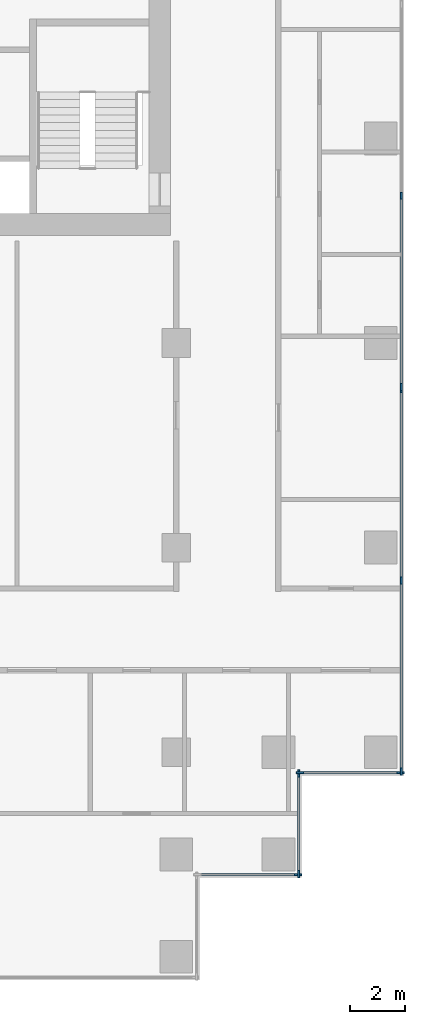
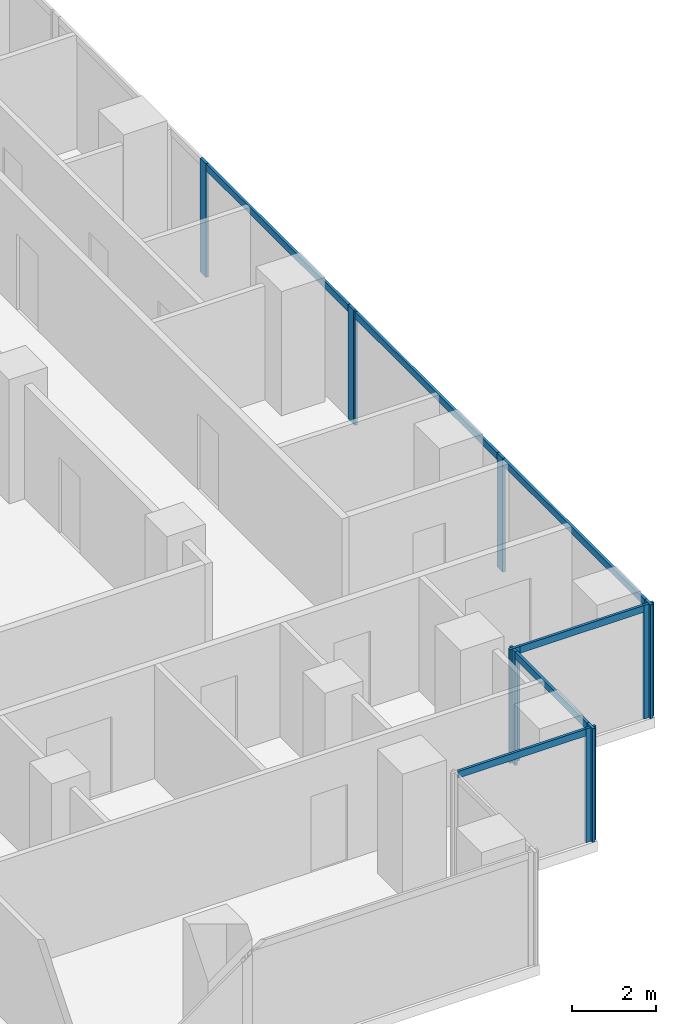
# One storey, part 3 of 11: 16 members, 5 elements without a shape of their own.
"""IFC4 building model written with IfcOpenShell, lengths in metres."""

from ifc_helpers import new_model, si_unit, direction, frame, origin, origin_2d, place, context, subcontext, project, spatial, rectangle, extrude, material, material_profile, profile_set, type_object, element, aggregate, save


model = new_model("IFC4")

# Units and contexts
model_context = context("Model", 3, precision=1e-05, world=origin(), true_north=direction((0.0, 1.0)))
body_context = subcontext(model_context, "Body", "Model", "MODEL_VIEW")
ifc_project = project(units=[si_unit("LENGTHUNIT", "METRE"), si_unit("AREAUNIT", "SQUARE_METRE"), si_unit("VOLUMEUNIT", "CUBIC_METRE"), si_unit("PLANEANGLEUNIT", "RADIAN"), si_unit("MASSUNIT", "GRAM", prefix="KILO")], contexts=[model_context])

# Site, building, storey
site_placement = place(None, origin())
site = spatial("IfcSite", under=ifc_project, at=site_placement, CompositionType="ELEMENT")
building_placement = place(site_placement, origin())
building = spatial("IfcBuilding", under=site, at=building_placement, Name="Pilkhan Gate Tower", CompositionType="ELEMENT")
storey_placement = place(building_placement, frame((0.0, 0.0, 172.89990234375)))
storey = spatial("IfcBuildingStorey", under=building, at=storey_placement, Name="L44", CompositionType="ELEMENT", Elevation=172.89990234375)

# Curtain wall, members
ifc_material_1 = material(Name="Pale anodised aluminium, clear low-iron double glazing", Category="aluminium")
curtain_wall_type = type_object("IfcCurtainWallType", Name="Office unitised curtain wall CW-O1", PredefinedType="USERDEFINED", material=ifc_material_1)
curtain_wall_1_placement = place(storey_placement, origin())
curtain_wall_1 = element("IfcCurtainWall", 1, at=curtain_wall_1_placement, inside=storey, type_object=curtain_wall_type, Name="Office unitised curtain wall CW-O1 L44 E", ObjectType="UNITISED CURTAIN WALL", PredefinedType="USERDEFINED")
ifc_material_2 = material(Name="Pale anodised aluminium", Category="aluminium")
ifc_material_profile_1 = material_profile(ifc_material_2, rectangle(XDim=0.070068359375, YDim=0.27490234375, at=origin_2d()), Name="Mullion 275x70")
ifc_profile_set_1 = profile_set([ifc_material_profile_1], Name="Pale anodised aluminium")
member_type_1 = type_object("IfcMemberType", Name="Mullion CW-O1 275x70", PredefinedType="MULLION", material=ifc_profile_set_1)
member_1_placement = place(storey_placement, frame((98.25, 51.784912109375, 0.0), z_axis=(0.0, 0.0, 1.0), x_axis=(-1.0, 0.0, 0.0)))
member_1 = element("IfcMember", 2, at=member_1_placement, type_object=member_type_1, Name="CW-O1 mullion 1", PredefinedType="MULLION", context=body_context, shape_type="SweptSolid", body=[
    extrude(rectangle(XDim=0.070068359375, YDim=0.27490234375, at=origin_2d()), origin(), (0.0, 0.0, 1.0), 3.300048828125),
])
member_2_placement = place(storey_placement, frame((98.25, 58.800048828125, 0.0), z_axis=(0.0, 0.0, 1.0), x_axis=(-1.0, 0.0, 0.0)))
member_2 = element("IfcMember", 3, at=member_2_placement, type_object=member_type_1, Name="CW-O1 mullion 2", PredefinedType="MULLION", context=body_context, shape_type="SweptSolid", body=[
    extrude(rectangle(XDim=0.070068359375, YDim=0.27490234375, at=origin_2d()), origin(), (0.0, 0.0, 1.0), 3.300048828125),
])
member_3_placement = place(storey_placement, frame((98.25, 65.81494140625, 0.0), z_axis=(0.0, 0.0, 1.0), x_axis=(-1.0, 0.0, 0.0)))
member_3 = element("IfcMember", 4, at=member_3_placement, type_object=member_type_1, Name="CW-O1 mullion 3", PredefinedType="MULLION", context=body_context, shape_type="SweptSolid", body=[
    extrude(rectangle(XDim=0.070068359375, YDim=0.27490234375, at=origin_2d()), origin(), (0.0, 0.0, 1.0), 3.300048828125),
])

curtain_wall_2_placement = place(storey_placement, origin())
curtain_wall_2 = element("IfcCurtainWall", 5, at=curtain_wall_2_placement, inside=storey, type_object=curtain_wall_type, Name="Office unitised curtain wall CW-O1 L44 E", ObjectType="UNITISED CURTAIN WALL", PredefinedType="USERDEFINED")
member_4_placement = place(storey_placement, frame((98.25, 65.885009765625, 0.0), z_axis=(0.0, 0.0, 1.0), x_axis=(-1.0, 0.0, 0.0)))
member_4 = element("IfcMember", 6, at=member_4_placement, type_object=member_type_1, Name="CW-O1 mullion 1", PredefinedType="MULLION", context=body_context, shape_type="SweptSolid", body=[
    extrude(rectangle(XDim=0.070068359375, YDim=0.27490234375, at=origin_2d()), origin(), (0.0, 0.0, 1.0), 3.300048828125),
])
member_5_placement = place(storey_placement, frame((98.25, 72.89990234375, 0.0), z_axis=(0.0, 0.0, 1.0), x_axis=(-1.0, 0.0, 0.0)))
member_5 = element("IfcMember", 7, at=member_5_placement, type_object=member_type_1, Name="CW-O1 mullion 2", PredefinedType="MULLION", context=body_context, shape_type="SweptSolid", body=[
    extrude(rectangle(XDim=0.070068359375, YDim=0.27490234375, at=origin_2d()), origin(), (0.0, 0.0, 1.0), 3.300048828125),
])

# Curtain wall, member
curtain_wall_3_placement = place(storey_placement, origin())
curtain_wall_3 = element("IfcCurtainWall", 8, at=curtain_wall_3_placement, inside=storey, type_object=curtain_wall_type, Name="Office unitised curtain wall CW-O1 L44 S", ObjectType="UNITISED CURTAIN WALL", PredefinedType="USERDEFINED")
member_6_placement = place(storey_placement, frame((94.465087890625, 48.0, 0.0), z_axis=(0.0, 0.0, 1.0), x_axis=(0.0, 1.0, 0.0)))
member_6 = element("IfcMember", 9, at=member_6_placement, type_object=member_type_1, Name="CW-O1 mullion 2", PredefinedType="MULLION", context=body_context, shape_type="SweptSolid", body=[
    extrude(rectangle(XDim=0.070068359375, YDim=0.27490234375, at=origin_2d()), origin(), (0.0, 0.0, 1.0), 3.300048828125),
])

# Curtain wall, members
curtain_wall_4_placement = place(storey_placement, origin())
curtain_wall_4 = element("IfcCurtainWall", 10, at=curtain_wall_4_placement, inside=storey, type_object=curtain_wall_type, Name="Office unitised curtain wall CW-O1 L44 E", ObjectType="UNITISED CURTAIN WALL", PredefinedType="USERDEFINED")
member_7_placement = place(storey_placement, frame((94.5, 48.034912109375, 0.0), z_axis=(0.0, 0.0, 1.0), x_axis=(-1.0, 0.0, 0.0)))
member_7 = element("IfcMember", 11, at=member_7_placement, type_object=member_type_1, Name="CW-O1 mullion 1", PredefinedType="MULLION", context=body_context, shape_type="SweptSolid", body=[
    extrude(rectangle(XDim=0.070068359375, YDim=0.27490234375, at=origin_2d()), origin(), (0.0, 0.0, 1.0), 3.300048828125),
])
member_8_placement = place(storey_placement, frame((94.5, 51.715087890625, 0.0), z_axis=(0.0, 0.0, 1.0), x_axis=(-1.0, 0.0, 0.0)))
member_8 = element("IfcMember", 12, at=member_8_placement, type_object=member_type_1, Name="CW-O1 mullion 2", PredefinedType="MULLION", context=body_context, shape_type="SweptSolid", body=[
    extrude(rectangle(XDim=0.070068359375, YDim=0.27490234375, at=origin_2d()), origin(), (0.0, 0.0, 1.0), 3.300048828125),
])

curtain_wall_5_placement = place(storey_placement, origin())
curtain_wall_5 = element("IfcCurtainWall", 13, at=curtain_wall_5_placement, inside=storey, type_object=curtain_wall_type, Name="Office unitised curtain wall CW-O1 L44 S", ObjectType="UNITISED CURTAIN WALL", PredefinedType="USERDEFINED")
member_9_placement = place(storey_placement, frame((94.534912109375, 51.75, 0.0), z_axis=(0.0, 0.0, 1.0), x_axis=(0.0, 1.0, 0.0)))
member_9 = element("IfcMember", 14, at=member_9_placement, type_object=member_type_1, Name="CW-O1 mullion 1", PredefinedType="MULLION", context=body_context, shape_type="SweptSolid", body=[
    extrude(rectangle(XDim=0.070068359375, YDim=0.27490234375, at=origin_2d()), origin(), (0.0, 0.0, 1.0), 3.300048828125),
])
member_10_placement = place(storey_placement, frame((98.215087890625, 51.75, 0.0), z_axis=(0.0, 0.0, 1.0), x_axis=(0.0, 1.0, 0.0)))
member_10 = element("IfcMember", 15, at=member_10_placement, type_object=member_type_1, Name="CW-O1 mullion 2", PredefinedType="MULLION", context=body_context, shape_type="SweptSolid", body=[
    extrude(rectangle(XDim=0.070068359375, YDim=0.27490234375, at=origin_2d()), origin(), (0.0, 0.0, 1.0), 3.300048828125),
])

# Member
ifc_material_profile_2 = material_profile(ifc_material_2, rectangle(XDim=0.070068359375, YDim=0.199951171875, at=origin_2d()), Name="Transom 200x70")
ifc_profile_set_2 = profile_set([ifc_material_profile_2], Name="Pale anodised aluminium")
member_type_2 = type_object("IfcMemberType", Name="Transom CW-O1 200x70", PredefinedType="USERDEFINED", material=ifc_profile_set_2)
member_11_placement = place(storey_placement, frame((98.25, 51.820068359375, 3.2001953125), z_axis=(0.0, 1.0, 0.0), x_axis=(-1.0, 0.0, 0.0)))
member_11 = element("IfcMember", 16, at=member_11_placement, type_object=member_type_2, Name="CW-O1 transom 1", ObjectType="TRANSOM", PredefinedType="USERDEFINED", context=body_context, shape_type="SweptSolid", body=[
    extrude(rectangle(XDim=0.070068359375, YDim=0.199951171875, at=origin_2d()), origin(), (0.0, 0.0, 1.0), 6.94482421875),
])

member_12_placement = place(storey_placement, frame((98.25, 58.8349609375, 3.2001953125), z_axis=(0.0, 1.0, 0.0), x_axis=(-1.0, 0.0, 0.0)))
member_12 = element("IfcMember", 17, at=member_12_placement, type_object=member_type_2, Name="CW-O1 transom 2", ObjectType="TRANSOM", PredefinedType="USERDEFINED", context=body_context, shape_type="SweptSolid", body=[
    extrude(rectangle(XDim=0.070068359375, YDim=0.199951171875, at=origin_2d()), origin(), (0.0, 0.0, 1.0), 6.945068359375),
])

aggregate(curtain_wall_1, [member_1, member_2, member_3, member_11, member_12])

member_13_placement = place(storey_placement, frame((98.25, 65.919921875, 3.2001953125), z_axis=(0.0, 1.0, 0.0), x_axis=(-1.0, 0.0, 0.0)))
member_13 = element("IfcMember", 18, at=member_13_placement, type_object=member_type_2, Name="CW-O1 transom 1", ObjectType="TRANSOM", PredefinedType="USERDEFINED", context=body_context, shape_type="SweptSolid", body=[
    extrude(rectangle(XDim=0.070068359375, YDim=0.199951171875, at=origin_2d()), origin(), (0.0, 0.0, 1.0), 6.945068359375),
])

aggregate(curtain_wall_2, [member_4, member_5, member_13])

member_14_placement = place(storey_placement, frame((90.820068359375, 48.0, 3.2001953125), z_axis=(1.0, 0.0, 0.0), x_axis=(0.0, 1.0, 0.0)))
member_14 = element("IfcMember", 19, at=member_14_placement, type_object=member_type_2, Name="CW-O1 transom 1", ObjectType="TRANSOM", PredefinedType="USERDEFINED", context=body_context, shape_type="SweptSolid", body=[
    extrude(rectangle(XDim=0.070068359375, YDim=0.199951171875, at=origin_2d()), origin(), (0.0, 0.0, 1.0), 3.60986328125),
])

aggregate(curtain_wall_3, [member_6, member_14])

member_15_placement = place(storey_placement, frame((94.5, 48.070068359375, 3.2001953125), z_axis=(0.0, 1.0, 0.0), x_axis=(-1.0, 0.0, 0.0)))
member_15 = element("IfcMember", 20, at=member_15_placement, type_object=member_type_2, Name="CW-O1 transom 1", ObjectType="TRANSOM", PredefinedType="USERDEFINED", context=body_context, shape_type="SweptSolid", body=[
    extrude(rectangle(XDim=0.070068359375, YDim=0.199951171875, at=origin_2d()), origin(), (0.0, 0.0, 1.0), 3.60986328125),
])

aggregate(curtain_wall_4, [member_7, member_8, member_15])

member_16_placement = place(storey_placement, frame((94.570068359375, 51.75, 3.2001953125), z_axis=(1.0, 0.0, 0.0), x_axis=(0.0, 1.0, 0.0)))
member_16 = element("IfcMember", 21, at=member_16_placement, type_object=member_type_2, Name="CW-O1 transom 1", ObjectType="TRANSOM", PredefinedType="USERDEFINED", context=body_context, shape_type="SweptSolid", body=[
    extrude(rectangle(XDim=0.070068359375, YDim=0.199951171875, at=origin_2d()), origin(), (0.0, 0.0, 1.0), 3.60986328125),
])

aggregate(curtain_wall_5, [member_9, member_10, member_16])

save(model, "model.ifc")
